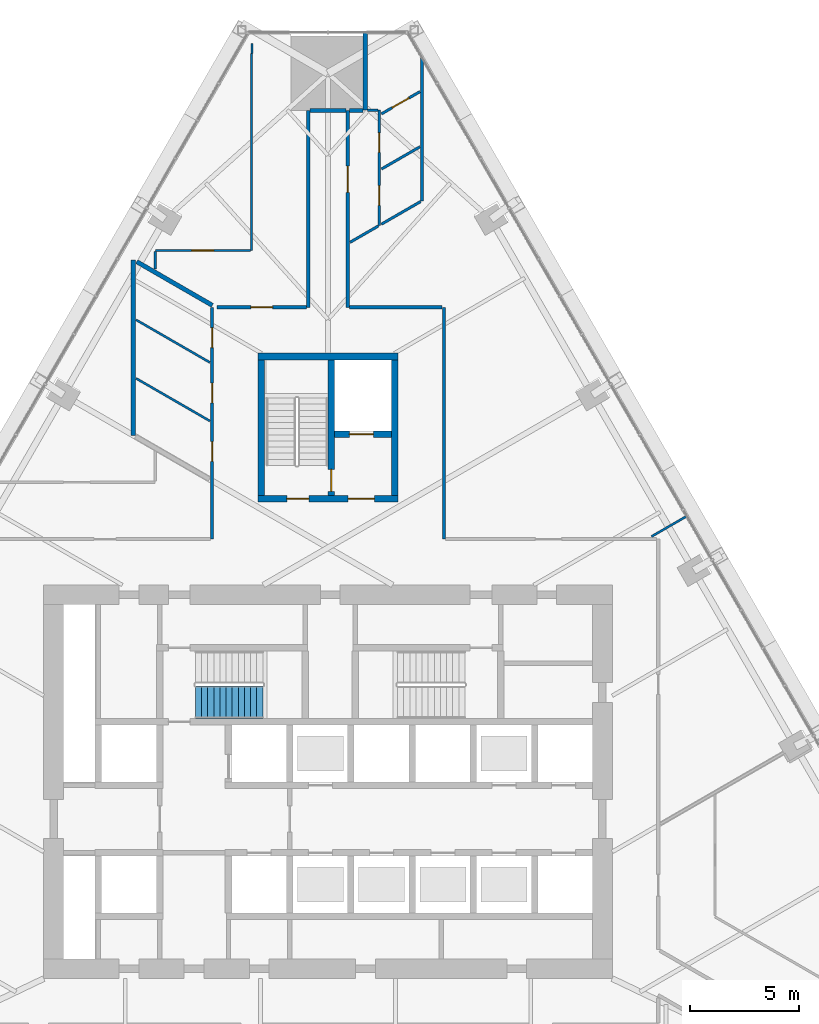
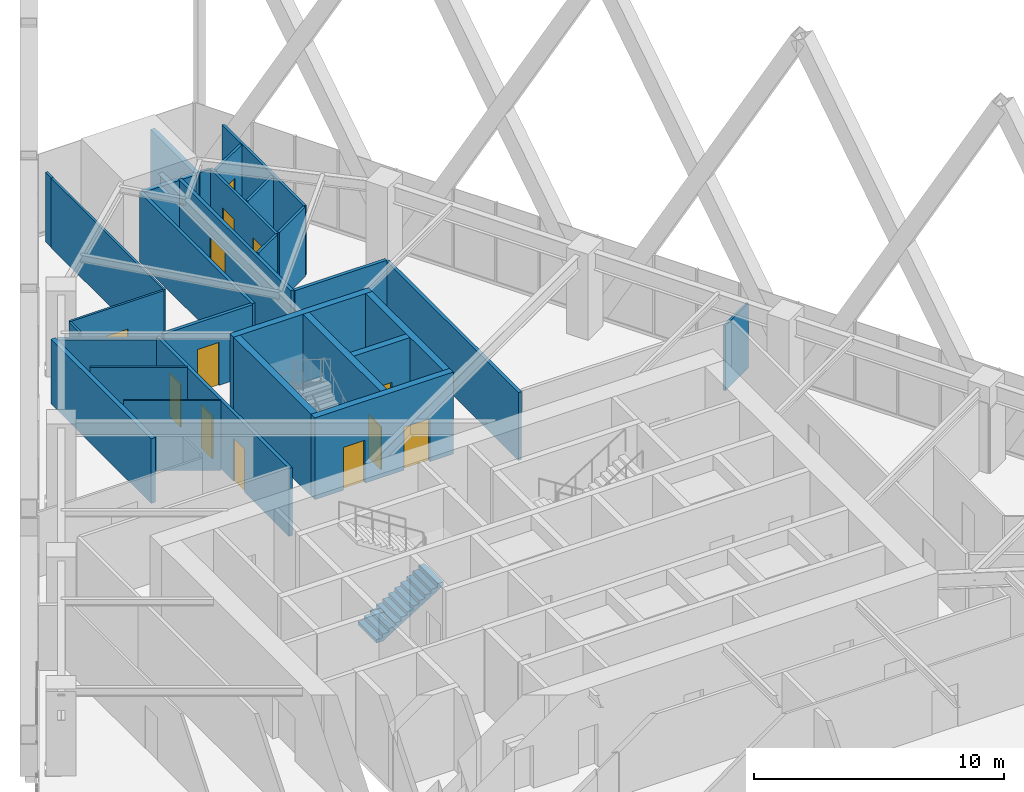
# One storey, part 16 of 19: 31 walls, 13 doors, 1 stair flight, 13 openings, 1 element without a shape of its own.
"""IFC4 building model written with IfcOpenShell, lengths in metres."""

from ifc_helpers import new_model, si_unit, direction, frame, frame_2d, origin, place, context, subcontext, project, spatial, polyline, rectangle, outline, extrude, material, layer, layer_set, type_object, element, fill, aggregate, save


model = new_model("IFC4")

# Units and contexts
model_context = context("Model", 3, precision=1e-05, world=origin(), true_north=direction((0.0, 1.0)))
body_context = subcontext(model_context, "Body", "Model", "MODEL_VIEW")
ifc_project = project(units=[si_unit("LENGTHUNIT", "METRE"), si_unit("AREAUNIT", "SQUARE_METRE"), si_unit("VOLUMEUNIT", "CUBIC_METRE"), si_unit("PLANEANGLEUNIT", "RADIAN"), si_unit("MASSUNIT", "GRAM", prefix="KILO")], contexts=[model_context])

# Site, building, storey
site_placement = place(None, origin())
site = spatial("IfcSite", under=ifc_project, at=site_placement, CompositionType="ELEMENT")
building_placement = place(site_placement, origin())
building = spatial("IfcBuilding", under=site, at=building_placement, Name="Firuza Gate Tower and Library", CompositionType="ELEMENT")
storey_placement = place(building_placement, frame((0.0, 0.0, 124.0)))
storey = spatial("IfcBuildingStorey", under=building, at=storey_placement, Name="L28", CompositionType="ELEMENT", Elevation=124.0)

# Wall, openings, doors
ifc_material_1 = material(Name="Concrete C80/95", Category="concrete")
ifc_layer_1 = layer(ifc_material_1, 0.300048828125)
ifc_layer_set_1 = layer_set([ifc_layer_1], Name="Core wall 300 C80/95")
wall_type_1 = type_object("IfcWallType", Name="Core wall 300 C80/95", PredefinedType="SHEAR", material=ifc_layer_set_1)
wall_1_placement = place(storey_placement, frame((71.800048828125, 87.949951171875, 0.0), z_axis=(0.0, 0.0, 1.0), x_axis=(1.0, 0.0, 0.0)))
wall_1 = element("IfcWall", 1, at=wall_1_placement, inside=storey, type_object=wall_type_1, Name="Core wall L28 34", PredefinedType="SHEAR", context=body_context, shape_type="SweptSolid", body=[
    extrude(rectangle(XDim=6.39990234375, YDim=0.300048828125, at=frame_2d((3.199951171875, 0.0))), origin(), (0.0, 0.0, 1.0), 4.0),
])
opening_1_placement = place(wall_1_placement, frame((1.324951171875, 0.0, 0.0)))
opening_1 = element("IfcOpeningElement", 2, at=opening_1_placement, cuts=wall_1, Name="Opening L28-K17", PredefinedType="OPENING", context=body_context, shape_type="SweptSolid", body=[
    extrude(rectangle(XDim=1.0, YDim=2.10009765625, at=frame_2d((0.5, 1.050048828125))), frame((0.0, 0.16015625, 0.0), z_axis=(0.0, -1.0, 0.0), x_axis=(1.0, 0.0, 0.0)), (0.0, 0.0, 1.0), 0.320068359375),
])
opening_2_placement = place(wall_1_placement, frame((4.125, 0.0, 0.0)))
opening_2 = element("IfcOpeningElement", 3, at=opening_2_placement, cuts=wall_1, Name="Opening L28-K19", PredefinedType="OPENING", context=body_context, shape_type="SweptSolid", body=[
    extrude(rectangle(XDim=1.199951171875, YDim=2.10009765625, at=frame_2d((0.60009765625, 1.050048828125))), frame((0.0, 0.16015625, 0.0), z_axis=(0.0, -1.0, 0.0), x_axis=(1.0, 0.0, 0.0)), (0.0, 0.0, 1.0), 0.320068359375),
])
ifc_material_2 = material(Name="Steel", Category="steel")
door_type_1 = type_object("IfcDoorType", Name="Fire door 1000x2100 FD90", OperationType="NOTDEFINED", PredefinedType="DOOR", material=ifc_material_2)
door_1_placement = place(opening_1_placement, origin())
door_1 = element("IfcDoor", 4, at=door_1_placement, inside=storey, type_object=door_type_1, Name="Door L28-K17", OperationType="SINGLE_SWING_RIGHT", OverallHeight=2.10009765625, OverallWidth=1.0, PredefinedType="DOOR", context=body_context, shape_type="SweptSolid", body=[
    extrude(rectangle(XDim=1.0, YDim=2.10009765625, at=frame_2d((0.5, 1.050048828125))), frame((0.0, 0.02490234375, 0.0), z_axis=(0.0, -1.0, 0.0), x_axis=(1.0, 0.0, 0.0)), (0.0, 0.0, 1.0), 0.050048828125),
])
fill(opening_1, door_1)
ifc_material_3 = material(Name="Steel", Category="steel")
door_type_2 = type_object("IfcDoorType", Name="Fire door 1200x2100 FD30S", OperationType="NOTDEFINED", PredefinedType="DOOR", material=ifc_material_3)
door_2_placement = place(opening_2_placement, origin())
door_2 = element("IfcDoor", 5, at=door_2_placement, inside=storey, type_object=door_type_2, Name="Door L28-K19", OperationType="SINGLE_SWING_RIGHT", OverallHeight=2.10009765625, OverallWidth=1.199951171875, PredefinedType="DOOR", context=body_context, shape_type="SweptSolid", body=[
    extrude(rectangle(XDim=1.199951171875, YDim=2.10009765625, at=frame_2d((0.60009765625, 1.050048828125))), frame((0.0, 0.02490234375, 0.0), z_axis=(0.0, -1.0, 0.0), x_axis=(1.0, 0.0, 0.0)), (0.0, 0.0, 1.0), 0.050048828125),
])
fill(opening_2, door_2)

# Walls
wall_2_placement = place(storey_placement, frame((71.800048828125, 94.449951171875, 0.0), z_axis=(0.0, 0.0, 1.0), x_axis=(1.0, 0.0, 0.0)))
element("IfcWall", 6, at=wall_2_placement, inside=storey, type_object=wall_type_1, Name="Core wall L28 35", PredefinedType="SHEAR", context=body_context, shape_type="SweptSolid", body=[
    extrude(rectangle(XDim=6.39990234375, YDim=0.300048828125, at=frame_2d((3.199951171875, 0.0))), origin(), (0.0, 0.0, 1.0), 4.0),
])
for number, where, z_axis, x_axis, name in (
    (7, (71.949951171875, 88.10009765625, 0.0), (0.0, 0.0, 1.0), (0.0, 1.0, 0.0), "Core wall L28 36"),
    (8, (78.050048828125, 88.10009765625, 0.0), (0.0, 0.0, 1.0), (0.0, 1.0, 0.0), "Core wall L28 37"),
):
    element("IfcWall", number, at=place(storey_placement, frame(where, z_axis=z_axis, x_axis=x_axis)), inside=storey, type_object=wall_type_1, Name=name, PredefinedType="SHEAR", context=body_context, shape_type="SweptSolid", body=[
        extrude(rectangle(XDim=6.199951171875, YDim=0.300048828125, at=frame_2d((3.10009765625, 0.0))), origin(), (0.0, 0.0, 1.0), 4.0),
    ])

# Wall, opening, door
wall_3_placement = place(storey_placement, frame((75.300048828125, 90.89990234375, 0.0), z_axis=(0.0, 0.0, 1.0), x_axis=(1.0, 0.0, 0.0)))
wall_3 = element("IfcWall", 9, at=wall_3_placement, inside=storey, type_object=wall_type_1, Name="Core wall L28 38", PredefinedType="SHEAR", context=body_context, shape_type="SweptSolid", body=[
    extrude(rectangle(XDim=2.599853515625, YDim=0.300048828125, at=frame_2d((1.2998046875, 0.0))), origin(), (0.0, 0.0, 1.0), 4.0),
])
opening_3_placement = place(wall_3_placement, frame((0.675048828125, 0.0, 0.0)))
opening_3 = element("IfcOpeningElement", 10, at=opening_3_placement, cuts=wall_3, Name="Opening LD-SV1-L28", PredefinedType="OPENING", context=body_context, shape_type="SweptSolid", body=[
    extrude(rectangle(XDim=1.10009765625, YDim=2.10009765625, at=frame_2d((0.550048828125, 1.050048828125))), frame((0.0, 0.16015625, 0.0), z_axis=(0.0, -1.0, 0.0), x_axis=(1.0, 0.0, 0.0)), (0.0, 0.0, 1.0), 0.320068359375),
])
ifc_material_4 = material(Name="Stainless steel", Category="steel")
door_type_3 = type_object("IfcDoorType", Name="Lift landing door 1100x2100", OperationType="DOUBLE_DOOR_SLIDING", PredefinedType="DOOR", material=ifc_material_4)
door_3_placement = place(opening_3_placement, origin())
door_3 = element("IfcDoor", 11, at=door_3_placement, inside=storey, type_object=door_type_3, Name="Landing door SV1 L28", OperationType="DOUBLE_DOOR_SLIDING", OverallHeight=2.10009765625, OverallWidth=1.10009765625, PredefinedType="DOOR", context=body_context, shape_type="SweptSolid", body=[
    extrude(rectangle(XDim=1.10009765625, YDim=2.10009765625, at=frame_2d((0.550048828125, 1.050048828125))), frame((0.0, 0.02490234375, 0.0), z_axis=(0.0, -1.0, 0.0), x_axis=(1.0, 0.0, 0.0)), (0.0, 0.0, 1.0), 0.050048828125),
])
fill(opening_3, door_3)

wall_4_placement = place(storey_placement, frame((75.14990234375, 88.10009765625, 0.0), z_axis=(0.0, 0.0, 1.0), x_axis=(0.0, 1.0, 0.0)))
wall_4 = element("IfcWall", 12, at=wall_4_placement, inside=storey, type_object=wall_type_1, Name="Core wall L28 39", PredefinedType="SHEAR", context=body_context, shape_type="SweptSolid", body=[
    extrude(rectangle(XDim=6.199951171875, YDim=0.300048828125, at=frame_2d((3.10009765625, 0.0))), origin(), (0.0, 0.0, 1.0), 4.0),
])
opening_4_placement = place(wall_4_placement, frame((0.18505859375, 0.0, 0.0)))
opening_4 = element("IfcOpeningElement", 13, at=opening_4_placement, cuts=wall_4, Name="Opening L28-K18", PredefinedType="OPENING", context=body_context, shape_type="SweptSolid", body=[
    extrude(rectangle(XDim=1.0, YDim=2.10009765625, at=frame_2d((0.5, 1.050048828125))), frame((0.0, 0.16015625, 0.0), z_axis=(0.0, -1.0, 0.0), x_axis=(1.0, 0.0, 0.0)), (0.0, 0.0, 1.0), 0.320068359375),
])
door_4_placement = place(opening_4_placement, origin())
door_4 = element("IfcDoor", 14, at=door_4_placement, inside=storey, type_object=door_type_1, Name="Door L28-K18", OperationType="SINGLE_SWING_LEFT", OverallHeight=2.10009765625, OverallWidth=1.0, PredefinedType="DOOR", context=body_context, shape_type="SweptSolid", body=[
    extrude(rectangle(XDim=1.0, YDim=2.10009765625, at=frame_2d((0.5, 1.050048828125))), frame((0.0, 0.02490234375, 0.0), z_axis=(0.0, -1.0, 0.0), x_axis=(1.0, 0.0, 0.0)), (0.0, 0.0, 1.0), 0.050048828125),
])
fill(opening_4, door_4)

ifc_material_5 = material(Name="Gypsum board partition")
ifc_layer_2 = layer(ifc_material_5, 0.14990234375)
ifc_layer_set_2 = layer_set([ifc_layer_2], Name="Corridor wall 150 double board on steel studs")
wall_type_2 = type_object("IfcWallType", Name="Corridor wall 150 double board on steel studs", PredefinedType="PARTITIONING", material=ifc_layer_set_2)
wall_5_placement = place(storey_placement, frame((69.9150390625, 96.699951171875, 0.0), z_axis=(0.0, 0.0, 1.0), x_axis=(1.0, 0.0, 0.0)))
wall_5 = element("IfcWall", 15, at=wall_5_placement, inside=storey, type_object=wall_type_2, Name="f:L28:w005", PredefinedType="PARTITIONING", context=body_context, shape_type="SweptSolid", body=[
    extrude(rectangle(XDim=4.10986328125, YDim=0.14990234375, at=frame_2d((2.054931640625, 0.0))), origin(), (0.0, 0.0, 1.0), 3.39990234375),
])
opening_5_placement = place(wall_5_placement, frame((1.554931640625, 0.0, 0.0)))
opening_5 = element("IfcOpeningElement", 16, at=opening_5_placement, cuts=wall_5, Name="Opening L28-09", PredefinedType="OPENING", context=body_context, shape_type="SweptSolid", body=[
    extrude(rectangle(XDim=1.0, YDim=2.10009765625, at=frame_2d((0.5, 1.050048828125))), frame((0.0, 0.0849609375, 0.0), z_axis=(0.0, -1.0, 0.0), x_axis=(1.0, 0.0, 0.0)), (0.0, 0.0, 1.0), 0.169921875),
])
ifc_material_6 = material(Name="Steel door and timber leaf", Category="steel")
door_type_4 = type_object("IfcDoorType", Name="Fire door 1000 x 2100 steel frame, timber leaf", OperationType="NOTDEFINED", PredefinedType="DOOR", material=ifc_material_6)
door_5_placement = place(opening_5_placement, origin())
door_5 = element("IfcDoor", 17, at=door_5_placement, inside=storey, type_object=door_type_4, Name="f:L28:d009", OperationType="SINGLE_SWING_LEFT", OverallHeight=2.10009765625, OverallWidth=1.0, PredefinedType="DOOR", context=body_context, shape_type="SweptSolid", body=[
    extrude(rectangle(XDim=1.0, YDim=2.10009765625, at=frame_2d((0.5, 1.050048828125))), frame((0.0, 0.02490234375, 0.0), z_axis=(0.0, -1.0, 0.0), x_axis=(1.0, 0.0, 0.0)), (0.0, 0.0, 1.0), 0.050048828125),
])
fill(opening_5, door_5)

# Walls
wall_6_placement = place(storey_placement, frame((75.97509765625, 96.699951171875, 0.0), z_axis=(0.0, 0.0, 1.0), x_axis=(1.0, 0.0, 0.0)))
element("IfcWall", 18, at=wall_6_placement, inside=storey, type_object=wall_type_2, Name="f:L28:w006", PredefinedType="PARTITIONING", context=body_context, shape_type="SweptSolid", body=[
    extrude(rectangle(XDim=4.249267578125, YDim=0.14990234375, at=frame_2d((2.12451171875, 0.0))), origin(), (0.0, 0.0, 1.0), 3.39990234375),
])
wall_7_placement = place(storey_placement, frame((80.300048828125, 86.10009765625, 0.0), z_axis=(0.0, 0.0, 1.0), x_axis=(0.0, 1.0, 0.0)))
element("IfcWall", 19, at=wall_7_placement, inside=storey, type_object=wall_type_2, Name="f:L28:w030", PredefinedType="PARTITIONING", context=body_context, shape_type="SweptSolid", body=[
    extrude(rectangle(XDim=10.599365234375, YDim=0.14990234375, at=frame_2d((5.2998046875, 0.0))), origin(), (0.0, 0.0, 1.0), 3.322021484375),
])

# Wall, opening, door
wall_8_placement = place(storey_placement, frame((75.89990234375, 105.698486328125, 0.0), z_axis=(0.0, 0.0, 1.0), x_axis=(0.0, -1.0, 0.0)))
wall_8 = element("IfcWall", 20, at=wall_8_placement, inside=storey, type_object=wall_type_2, Name="f:L28:w035", PredefinedType="PARTITIONING", context=body_context, shape_type="SweptSolid", body=[
    extrude(rectangle(XDim=8.99853515625, YDim=0.14990234375, at=frame_2d((4.499267578125, 0.0))), origin(), (0.0, 0.0, 1.0), 3.39990234375),
])
opening_6_placement = place(wall_8_placement, frame((2.5458984375, 0.0, 0.0)))
opening_6 = element("IfcOpeningElement", 21, at=opening_6_placement, cuts=wall_8, Name="Opening L28-22", PredefinedType="OPENING", context=body_context, shape_type="SweptSolid", body=[
    extrude(rectangle(XDim=1.199951171875, YDim=2.10009765625, at=frame_2d((0.60009765625, 1.050048828125))), frame((0.0, 0.0849609375, 0.0), z_axis=(0.0, -1.0, 0.0), x_axis=(1.0, 0.0, 0.0)), (0.0, 0.0, 1.0), 0.169921875),
])
ifc_material_7 = material(Name="Steel door and timber leaf", Category="steel")
door_type_5 = type_object("IfcDoorType", Name="Fire door 1200 x 2100 steel frame, double leaf", OperationType="NOTDEFINED", PredefinedType="DOOR", material=ifc_material_7)
door_6_placement = place(opening_6_placement, origin())
door_6 = element("IfcDoor", 22, at=door_6_placement, inside=storey, type_object=door_type_5, Name="f:L28:d022", OperationType="DOUBLE_DOOR_SINGLE_SWING", OverallHeight=2.10009765625, OverallWidth=1.199951171875, PredefinedType="DOOR", context=body_context, shape_type="SweptSolid", body=[
    extrude(rectangle(XDim=1.199951171875, YDim=2.10009765625, at=frame_2d((0.60009765625, 1.050048828125))), frame((0.0, 0.02490234375, 0.0), z_axis=(0.0, -1.0, 0.0), x_axis=(1.0, 0.0, 0.0)), (0.0, 0.0, 1.0), 0.050048828125),
])
fill(opening_6, door_6)

# Wall
wall_9_placement = place(storey_placement, frame((74.10009765625, 96.699951171875, 0.0), z_axis=(0.0, 0.0, 1.0), x_axis=(0.0, 1.0, 0.0)))
element("IfcWall", 23, at=wall_9_placement, inside=storey, type_object=wall_type_2, Name="f:L28:w036", PredefinedType="PARTITIONING", context=body_context, shape_type="SweptSolid", body=[
    extrude(rectangle(XDim=8.998046875, YDim=0.14990234375, at=frame_2d((4.4990234375, 0.0))), origin(), (0.0, 0.0, 1.0), 3.39990234375),
])

# Wall, openings, doors
wall_10_placement = place(storey_placement, frame((69.699951171875, 86.10009765625, 0.0), z_axis=(0.0, 0.0, 1.0), x_axis=(0.0, 1.0, 0.0)))
wall_10 = element("IfcWall", 24, at=wall_10_placement, inside=storey, type_object=wall_type_2, Name="f:L28:w039", PredefinedType="PARTITIONING", context=body_context, shape_type="SweptSolid", body=[
    extrude(rectangle(XDim=10.599853515625, YDim=0.14990234375, at=frame_2d((5.2998046875, 0.0))), origin(), (0.0, 0.0, 1.0), 3.322021484375),
])
opening_7_placement = place(wall_10_placement, frame((3.55517578125, 0.0, 0.0)))
opening_7 = element("IfcOpeningElement", 25, at=opening_7_placement, cuts=wall_10, Name="Opening L28-23", PredefinedType="OPENING", context=body_context, shape_type="SweptSolid", body=[
    extrude(rectangle(XDim=0.89990234375, YDim=2.10009765625, at=frame_2d((0.449951171875, 1.050048828125))), frame((0.0, 0.0849609375, 0.0), z_axis=(0.0, -1.0, 0.0), x_axis=(1.0, 0.0, 0.0)), (0.0, 0.0, 1.0), 0.169921875),
])
opening_8_placement = place(wall_10_placement, frame((6.23193359375, 0.0, 0.0)))
opening_8 = element("IfcOpeningElement", 26, at=opening_8_placement, cuts=wall_10, Name="Opening L28-24", PredefinedType="OPENING", context=body_context, shape_type="SweptSolid", body=[
    extrude(rectangle(XDim=0.89990234375, YDim=2.10009765625, at=frame_2d((0.449951171875, 1.050048828125))), frame((0.0, 0.0849609375, 0.0), z_axis=(0.0, -1.0, 0.0), x_axis=(1.0, 0.0, 0.0)), (0.0, 0.0, 1.0), 0.169921875),
])
opening_9_placement = place(wall_10_placement, frame((8.758544921875, 0.0, 0.0)))
opening_9 = element("IfcOpeningElement", 27, at=opening_9_placement, cuts=wall_10, Name="Opening L28-25", PredefinedType="OPENING", context=body_context, shape_type="SweptSolid", body=[
    extrude(rectangle(XDim=0.89990234375, YDim=2.10009765625, at=frame_2d((0.449951171875, 1.050048828125))), frame((0.0, 0.0849609375, 0.0), z_axis=(0.0, -1.0, 0.0), x_axis=(1.0, 0.0, 0.0)), (0.0, 0.0, 1.0), 0.169921875),
])
ifc_material_8 = material(Name="Steel door and timber leaf", Category="steel")
door_type_6 = type_object("IfcDoorType", Name="Fire door 900 x 2100 steel frame, timber leaf", OperationType="NOTDEFINED", PredefinedType="DOOR", material=ifc_material_8)
door_7_placement = place(opening_7_placement, origin())
door_7 = element("IfcDoor", 28, at=door_7_placement, inside=storey, type_object=door_type_6, Name="f:L28:d023", OperationType="SINGLE_SWING_RIGHT", OverallHeight=2.10009765625, OverallWidth=0.89990234375, PredefinedType="DOOR", context=body_context, shape_type="SweptSolid", body=[
    extrude(rectangle(XDim=0.89990234375, YDim=2.10009765625, at=frame_2d((0.449951171875, 1.050048828125))), frame((0.0, 0.02490234375, 0.0), z_axis=(0.0, -1.0, 0.0), x_axis=(1.0, 0.0, 0.0)), (0.0, 0.0, 1.0), 0.050048828125),
])
fill(opening_7, door_7)
door_8_placement = place(opening_8_placement, origin())
door_8 = element("IfcDoor", 29, at=door_8_placement, inside=storey, type_object=door_type_6, Name="f:L28:d024", OperationType="SINGLE_SWING_LEFT", OverallHeight=2.10009765625, OverallWidth=0.89990234375, PredefinedType="DOOR", context=body_context, shape_type="SweptSolid", body=[
    extrude(rectangle(XDim=0.89990234375, YDim=2.10009765625, at=frame_2d((0.449951171875, 1.050048828125))), frame((0.0, 0.02490234375, 0.0), z_axis=(0.0, -1.0, 0.0), x_axis=(1.0, 0.0, 0.0)), (0.0, 0.0, 1.0), 0.050048828125),
])
fill(opening_8, door_8)
door_9_placement = place(opening_9_placement, origin())
door_9 = element("IfcDoor", 30, at=door_9_placement, inside=storey, type_object=door_type_6, Name="f:L28:d025", OperationType="SINGLE_SWING_RIGHT", OverallHeight=2.10009765625, OverallWidth=0.89990234375, PredefinedType="DOOR", context=body_context, shape_type="SweptSolid", body=[
    extrude(rectangle(XDim=0.89990234375, YDim=2.10009765625, at=frame_2d((0.449951171875, 1.050048828125))), frame((0.0, 0.02490234375, 0.0), z_axis=(0.0, -1.0, 0.0), x_axis=(1.0, 0.0, 0.0)), (0.0, 0.0, 1.0), 0.050048828125),
])
fill(opening_9, door_9)

# Walls
ifc_material_9 = material(Name="Gypsum board partition")
ifc_layer_3 = layer(ifc_material_9, 0.199951171875)
ifc_layer_set_3 = layer_set([ifc_layer_3], Name="Demising wall 200 acoustic double stud")
wall_type_3 = type_object("IfcWallType", Name="Demising wall 200 acoustic double stud", PredefinedType="PARTITIONING", material=ifc_layer_set_3)
wall_11_placement = place(storey_placement, frame((74.175537109375, 105.698974609375, 0.0), z_axis=(0.0, 0.0, 1.0), x_axis=(1.0, 0.0, 0.0)))
element("IfcWall", 31, at=wall_11_placement, inside=storey, type_object=wall_type_3, Name="f:L28:w008", PredefinedType="PARTITIONING", context=body_context, shape_type="SweptSolid", body=[
    extrude(rectangle(XDim=1.6494140625, YDim=0.199951171875, at=frame_2d((0.82470703125, 0.0))), origin(), (0.0, 0.0, 1.0), 3.39697265625),
])
wall_12_placement = place(storey_placement, frame((76.699951171875, 105.715087890625, 0.0), z_axis=(0.0, 0.0, 1.0), x_axis=(0.0, 1.0, 0.0)))
element("IfcWall", 32, at=wall_12_placement, inside=storey, type_object=wall_type_3, Name="f:L28:w034", PredefinedType="PARTITIONING", context=body_context, shape_type="SweptSolid", body=[
    extrude(rectangle(XDim=3.54345703125, YDim=0.199951171875, at=frame_2d((1.771728515625, 0.0))), origin(), (0.0, 0.0, 1.0), 3.39990234375),
])
wall_13_placement = place(storey_placement, frame((66.10009765625, 90.845947265625, 0.0), z_axis=(0.0, 0.0, 1.0), x_axis=(0.0, 1.0, 0.0)))
element("IfcWall", 33, at=wall_13_placement, inside=storey, type_object=wall_type_3, Name="f:L28:w042", PredefinedType="PARTITIONING", context=body_context, shape_type="SweptSolid", body=[
    extrude(rectangle(XDim=8.02880859375, YDim=0.199951171875, at=frame_2d((4.014404296875, 0.0))), origin(), (0.0, 0.0, 1.0), 3.1650390625),
])
wall_14_placement = place(storey_placement, frame((69.71142578125, 96.78955078125, 0.0), z_axis=(0.0, 0.0, 1.0), x_axis=(-0.866021621257, 0.500006551472, 0.0)))
element("IfcWall", 34, at=wall_14_placement, inside=storey, type_object=wall_type_3, Name="f:L28:w050", PredefinedType="PARTITIONING", context=body_context, shape_type="SweptSolid", body=[
    extrude(rectangle(XDim=3.9921875, YDim=0.199951171875, at=frame_2d((1.99609375, 0.0))), origin(), (0.0, 0.0, 1.0), 3.1650390625),
])
wall_15_placement = place(storey_placement, frame((75.97509765625, 105.698974609375, 0.0), z_axis=(0.0, 0.0, 1.0), x_axis=(1.0, 0.0, 0.0)))
element("IfcWall", 35, at=wall_15_placement, inside=storey, type_object=wall_type_3, Name="f:L28:w065", PredefinedType="PARTITIONING", context=body_context, shape_type="SweptSolid", body=[
    extrude(rectangle(XDim=0.62451171875, YDim=0.199951171875, at=frame_2d((0.312255859375, 0.0))), origin(), (0.0, 0.0, 1.0), 3.39990234375),
])

# Wall, opening, door
ifc_material_10 = material(Name="Gypsum board partition")
ifc_layer_4 = layer(ifc_material_10, 0.10009765625)
ifc_layer_set_4 = layer_set([ifc_layer_4], Name="Partition 100 gypsum board on steel studs")
wall_type_4 = type_object("IfcWallType", Name="Partition 100 gypsum board on steel studs", PredefinedType="PARTITIONING", material=ifc_layer_set_4)
wall_16_placement = place(storey_placement, frame((67.10009765625, 99.300048828125, 0.0), z_axis=(0.0, 0.0, 1.0), x_axis=(1.0, 0.0, 0.0)))
wall_16 = element("IfcWall", 36, at=wall_16_placement, inside=storey, type_object=wall_type_4, Name="f:L28:w007", PredefinedType="PARTITIONING", context=body_context, shape_type="SweptSolid", body=[
    extrude(rectangle(XDim=4.349365234375, YDim=0.10009765625, at=frame_2d((2.1748046875, 0.0))), origin(), (0.0, 0.0, 1.0), 3.39990234375),
])
opening_10_placement = place(wall_16_placement, frame((1.6748046875, 0.0, 0.0)))
opening_10 = element("IfcOpeningElement", 37, at=opening_10_placement, cuts=wall_16, Name="Opening L28-10", PredefinedType="OPENING", context=body_context, shape_type="SweptSolid", body=[
    extrude(rectangle(XDim=1.0, YDim=2.10009765625, at=frame_2d((0.5, 1.050048828125))), frame((0.0, 0.06005859375, 0.0), z_axis=(0.0, -1.0, 0.0), x_axis=(1.0, 0.0, 0.0)), (0.0, 0.0, 1.0), 0.1201171875),
])
ifc_material_11 = material(Name="Timber door", Category="wood")
door_type_7 = type_object("IfcDoorType", Name="Door 1000 x 2100 timber leaf", OperationType="NOTDEFINED", PredefinedType="DOOR", material=ifc_material_11)
door_10_placement = place(opening_10_placement, origin())
door_10 = element("IfcDoor", 38, at=door_10_placement, inside=storey, type_object=door_type_7, Name="f:L28:d010", OperationType="SINGLE_SWING_RIGHT", OverallHeight=2.10009765625, OverallWidth=1.0, PredefinedType="DOOR", context=body_context, shape_type="SweptSolid", body=[
    extrude(rectangle(XDim=1.0, YDim=2.10009765625, at=frame_2d((0.5, 1.050048828125))), frame((0.0, 0.02490234375, 0.0), z_axis=(0.0, -1.0, 0.0), x_axis=(1.0, 0.0, 0.0)), (0.0, 0.0, 1.0), 0.050048828125),
])
fill(opening_10, door_10)

# Walls
wall_17_placement = place(storey_placement, frame((89.79736328125, 86.219970703125, 0.0), z_axis=(0.0, 0.0, 1.0), x_axis=(0.866036320872, 0.499981090573, 0.0)))
element("IfcWall", 39, at=wall_17_placement, inside=storey, type_object=wall_type_4, Name="f:L28:w017", PredefinedType="PARTITIONING", context=body_context, shape_type="SweptSolid", body=[
    extrude(rectangle(XDim=1.85205078125, YDim=0.10009765625, at=frame_2d((0.926025390625, 0.0))), origin(), (0.0, 0.0, 1.0), 3.1650390625),
])
wall_18_placement = place(storey_placement, frame((71.51904296875, 108.299072265625, 0.0), z_axis=(0.0, 0.0, 1.0), x_axis=(0.0, 1.0, 0.0)))
element("IfcWall", 40, at=wall_18_placement, inside=storey, type_object=wall_type_4, Name="f:L28:w037", PredefinedType="PARTITIONING", context=body_context, shape_type="SweptSolid", body=[
    extrude(rectangle(XDim=0.47265625, YDim=0.10009765625, at=frame_2d((0.236328125, 0.0))), origin(), (0.0, 0.0, 1.0), 3.39990234375),
])
wall_19_placement = place(storey_placement, frame((71.5, 99.300537109375, 0.0), z_axis=(0.0, 0.0, 1.0), x_axis=(0.0, 1.0, 0.0)))
element("IfcWall", 41, at=wall_19_placement, inside=storey, type_object=wall_type_4, Name="f:L28:w038", PredefinedType="PARTITIONING", context=body_context, shape_type="SweptSolid", body=[
    extrude(rectangle(XDim=8.998046875, YDim=0.10009765625, at=frame_2d((4.4990234375, 0.0))), origin(), (0.0, 0.0, 1.0), 3.39990234375),
])
wall_20_placement = place(storey_placement, frame((67.10009765625, 98.443359375, 0.0), z_axis=(0.0, 0.0, 1.0), x_axis=(0.0, 1.0, 0.0)))
element("IfcWall", 42, at=wall_20_placement, inside=storey, type_object=wall_type_4, Name="f:L28:w041", PredefinedType="PARTITIONING", context=body_context, shape_type="SweptSolid", body=[
    extrude(rectangle(XDim=0.806640625, YDim=0.10009765625, at=frame_2d((0.4033203125, 0.0))), origin(), (0.0, 0.0, 1.0), 3.39990234375),
])
wall_21_placement = place(storey_placement, frame((69.598876953125, 94.177978515625, 0.0), z_axis=(0.0, 0.0, 1.0), x_axis=(-0.866016482536, 0.500015451737, 0.0)))
element("IfcWall", 43, at=wall_21_placement, inside=storey, type_object=wall_type_4, Name="f:L28:w051", PredefinedType="PARTITIONING", context=body_context, shape_type="SweptSolid", body=[
    extrude(rectangle(XDim=3.89501953125, YDim=0.10009765625, at=frame_2d((1.947509765625, 0.0))), origin(), (0.0, 0.0, 1.0), 3.39990234375),
])
wall_22_placement = place(storey_placement, frame((69.598876953125, 91.50146484375, 0.0), z_axis=(0.0, 0.0, 1.0), x_axis=(-0.866043624834, 0.499968438888, 0.0)))
element("IfcWall", 44, at=wall_22_placement, inside=storey, type_object=wall_type_4, Name="f:L28:w052", PredefinedType="PARTITIONING", context=body_context, shape_type="SweptSolid", body=[
    extrude(rectangle(XDim=3.894775390625, YDim=0.10009765625, at=frame_2d((1.947265625, 0.0))), origin(), (0.0, 0.0, 1.0), 3.39990234375),
])
ifc_material_12 = material(Name="Gypsum board partition")
ifc_layer_5 = layer(ifc_material_12, 0.1201171875)
ifc_layer_set_5 = layer_set([ifc_layer_5], Name="Wet-area partition 120 moisture-resistant board")
wall_type_5 = type_object("IfcWallType", Name="Wet-area partition 120 moisture-resistant board", PredefinedType="PARTITIONING", material=ifc_layer_set_5)
wall_23_placement = place(storey_placement, frame((76.800048828125, 105.718017578125, 0.0), z_axis=(0.0, 0.0, 1.0), x_axis=(1.0, 0.0, 0.0)))
element("IfcWall", 45, at=wall_23_placement, inside=storey, type_object=wall_type_5, Name="f:L28:w009", PredefinedType="PARTITIONING", context=body_context, shape_type="SweptSolid", body=[
    extrude(rectangle(XDim=0.489501953125, YDim=0.1201171875, at=frame_2d((0.24462890625, 0.0))), origin(), (0.0, 0.0, 1.0), 3.39990234375),
])
wall_24_placement = place(storey_placement, frame((76.009521484375, 99.67333984375, 0.0), z_axis=(0.0, 0.0, 1.0), x_axis=(0.865943626461, 0.500141615736, 0.0)))
element("IfcWall", 46, at=wall_24_placement, inside=storey, type_object=wall_type_5, Name="f:L28:w019", PredefinedType="PARTITIONING", context=body_context, shape_type="SweptSolid", body=[
    extrude(rectangle(XDim=1.49560546875, YDim=0.1201171875, at=frame_2d((0.747802734375, 0.0))), origin(), (0.0, 0.0, 1.0), 3.39990234375),
])
wall_25_placement = place(storey_placement, frame((77.444580078125, 103.02392578125, 0.0), z_axis=(0.0, 0.0, 1.0), x_axis=(0.866039589866, 0.499975428181, 0.0)))
element("IfcWall", 47, at=wall_25_placement, inside=storey, type_object=wall_type_5, Name="f:L28:w020", PredefinedType="PARTITIONING", context=body_context, shape_type="SweptSolid", body=[
    extrude(rectangle(XDim=2.03271484375, YDim=0.1201171875, at=frame_2d((1.016357421875, 0.0))), origin(), (0.0, 0.0, 1.0), 3.39990234375),
])

# Wall, opening, door
wall_26_placement = place(storey_placement, frame((79.205322265625, 106.562255859375, 0.0), z_axis=(0.0, 0.0, 1.0), x_axis=(-0.866017611601, -0.500013496215, 0.0)))
wall_26 = element("IfcWall", 48, at=wall_26_placement, inside=storey, type_object=wall_type_5, Name="f:L28:w021", PredefinedType="PARTITIONING", context=body_context, shape_type="SweptSolid", body=[
    extrude(rectangle(XDim=2.033203125, YDim=0.1201171875, at=frame_2d((1.0166015625, 0.0))), origin(), (0.0, 0.0, 1.0), 3.39990234375),
])
opening_11_placement = place(wall_26_placement, frame((0.566650390625, 0.0, 0.0)))
opening_11 = element("IfcOpeningElement", 49, at=opening_11_placement, cuts=wall_26, Name="Opening L28-15", PredefinedType="OPENING", context=body_context, shape_type="SweptSolid", body=[
    extrude(rectangle(XDim=0.89990234375, YDim=2.10009765625, at=frame_2d((0.449951171875, 1.050048828125))), frame((0.0, 0.070068359375, 0.0), z_axis=(0.0, -1.0, 0.0), x_axis=(1.0, 0.0, 0.0)), (0.0, 0.0, 1.0), 0.14013671875),
])
ifc_material_13 = material(Name="Timber door", Category="wood")
door_type_8 = type_object("IfcDoorType", Name="Door 900 x 2100 timber leaf", OperationType="NOTDEFINED", PredefinedType="DOOR", material=ifc_material_13)
door_11_placement = place(opening_11_placement, origin())
door_11 = element("IfcDoor", 50, at=door_11_placement, inside=storey, type_object=door_type_8, Name="f:L28:d015", OperationType="SINGLE_SWING_RIGHT", OverallHeight=2.10009765625, OverallWidth=0.89990234375, PredefinedType="DOOR", context=body_context, shape_type="SweptSolid", body=[
    extrude(rectangle(XDim=0.89990234375, YDim=2.10009765625, at=frame_2d((0.449951171875, 1.050048828125))), frame((0.0, 0.02490234375, 0.0), z_axis=(0.0, -1.0, 0.0), x_axis=(1.0, 0.0, 0.0)), (0.0, 0.0, 1.0), 0.050048828125),
])
fill(opening_11, door_11)

# Wall
wall_27_placement = place(storey_placement, frame((79.300048828125, 101.57275390625, 0.0), z_axis=(0.0, 0.0, 1.0), x_axis=(0.0, 1.0, 0.0)))
element("IfcWall", 51, at=wall_27_placement, inside=storey, type_object=wall_type_5, Name="f:L28:w032", PredefinedType="PARTITIONING", context=body_context, shape_type="SweptSolid", body=[
    extrude(rectangle(XDim=6.533447265625, YDim=0.1201171875, at=frame_2d((3.2666015625, 0.0))), origin(), (0.0, 0.0, 1.0), 3.39990234375),
])

# Wall, openings, doors
wall_28_placement = place(storey_placement, frame((77.35009765625, 100.44677734375, 0.0), z_axis=(0.0, 0.0, 1.0), x_axis=(0.0, 1.0, 0.0)))
wall_28 = element("IfcWall", 52, at=wall_28_placement, inside=storey, type_object=wall_type_5, Name="f:L28:w033", PredefinedType="PARTITIONING", context=body_context, shape_type="SweptSolid", body=[
    extrude(rectangle(XDim=5.270751953125, YDim=0.1201171875, at=frame_2d((2.63525390625, 0.0))), origin(), (0.0, 0.0, 1.0), 3.39990234375),
])
opening_12_placement = place(wall_28_placement, frame((0.912841796875, 0.0, 0.0)))
opening_12 = element("IfcOpeningElement", 53, at=opening_12_placement, cuts=wall_28, Name="Opening L28-20", PredefinedType="OPENING", context=body_context, shape_type="SweptSolid", body=[
    extrude(rectangle(XDim=0.89990234375, YDim=2.10009765625, at=frame_2d((0.449951171875, 1.050048828125))), frame((0.0, 0.070068359375, 0.0), z_axis=(0.0, -1.0, 0.0), x_axis=(1.0, 0.0, 0.0)), (0.0, 0.0, 1.0), 0.14013671875),
])
opening_13_placement = place(wall_28_placement, frame((3.333251953125, 0.0, 0.0)))
opening_13 = element("IfcOpeningElement", 54, at=opening_13_placement, cuts=wall_28, Name="Opening L28-21", PredefinedType="OPENING", context=body_context, shape_type="SweptSolid", body=[
    extrude(rectangle(XDim=0.89990234375, YDim=2.10009765625, at=frame_2d((0.449951171875, 1.050048828125))), frame((0.0, 0.070068359375, 0.0), z_axis=(0.0, -1.0, 0.0), x_axis=(1.0, 0.0, 0.0)), (0.0, 0.0, 1.0), 0.14013671875),
])
door_12_placement = place(opening_12_placement, origin())
door_12 = element("IfcDoor", 55, at=door_12_placement, inside=storey, type_object=door_type_8, Name="f:L28:d020", OperationType="SINGLE_SWING_LEFT", OverallHeight=2.10009765625, OverallWidth=0.89990234375, PredefinedType="DOOR", context=body_context, shape_type="SweptSolid", body=[
    extrude(rectangle(XDim=0.89990234375, YDim=2.10009765625, at=frame_2d((0.449951171875, 1.050048828125))), frame((0.0, 0.02490234375, 0.0), z_axis=(0.0, -1.0, 0.0), x_axis=(1.0, 0.0, 0.0)), (0.0, 0.0, 1.0), 0.050048828125),
])
fill(opening_12, door_12)
door_13_placement = place(opening_13_placement, origin())
door_13 = element("IfcDoor", 56, at=door_13_placement, inside=storey, type_object=door_type_8, Name="f:L28:d021", OperationType="SINGLE_SWING_RIGHT", OverallHeight=2.10009765625, OverallWidth=0.89990234375, PredefinedType="DOOR", context=body_context, shape_type="SweptSolid", body=[
    extrude(rectangle(XDim=0.89990234375, YDim=2.10009765625, at=frame_2d((0.449951171875, 1.050048828125))), frame((0.0, 0.02490234375, 0.0), z_axis=(0.0, -1.0, 0.0), x_axis=(1.0, 0.0, 0.0)), (0.0, 0.0, 1.0), 0.050048828125),
])
fill(opening_13, door_13)

# Wall
wall_29_placement = place(storey_placement, frame((77.43994140625, 100.499267578125, 0.0), z_axis=(0.0, 0.0, 1.0), x_axis=(0.865986040326, 0.500068173313, 0.0)))
element("IfcWall", 57, at=wall_29_placement, inside=storey, type_object=wall_type_5, Name="f:L28:w069", PredefinedType="PARTITIONING", context=body_context, shape_type="SweptSolid", body=[
    extrude(rectangle(XDim=2.078369140625, YDim=0.1201171875, at=frame_2d((1.0390625, 0.0))), origin(), (0.0, 0.0, 1.0), 3.39990234375),
])

# Stair, stair flight
ifc_material_14 = material(Name="Concrete C35/45", Category="concrete")
stair_type = type_object("IfcStairType", Name="Exit stair ST5", PredefinedType="HALF_TURN_STAIR", material=ifc_material_14)
stair_placement = place(storey_placement, origin())
stair = element("IfcStair", 58, at=stair_placement, inside=storey, type_object=stair_type, Name="L28 Stair ST1", PredefinedType="HALF_TURN_STAIR")
ifc_material_15 = material(Name="Concrete C35/45", Category="concrete")
stair_flight_type = type_object("IfcStairFlightType", Name="Stair flight 12 risers 175 width 1490", PredefinedType="STRAIGHT", material=ifc_material_15)
stair_flight_placement = place(storey_placement, frame((68.93994140625, 78.64501953125, 0.0), z_axis=(0.0, 0.0, 1.0), x_axis=(1.0, 0.0, 0.0)))
stair_flight = element("IfcStairFlight", 59, at=stair_flight_placement, type_object=stair_flight_type, Name="ST1 flight 1", NumberOfRisers=12, NumberOfTreads=11, PredefinedType="STRAIGHT", RiserHeight=0.175, TreadLength=0.28, context=body_context, shape_type="SweptSolid", body=[
    extrude(outline(polyline([(0.0, 0.0), (0.0, 0.175048828125), (0.280029296875, 0.175048828125), (0.280029296875, 0.35009765625), (0.56005859375, 0.35009765625), (0.56005859375, 0.52490234375), (0.840087890625, 0.52490234375), (0.840087890625, 0.699951171875), (1.1201171875, 0.699951171875), (1.1201171875, 0.875), (1.39990234375, 0.875), (1.39990234375, 1.050048828125), (1.679931640625, 1.050048828125), (1.679931640625, 1.22509765625), (1.9599609375, 1.22509765625), (1.9599609375, 1.39990234375), (2.239990234375, 1.39990234375), (2.239990234375, 1.574951171875), (2.52001953125, 1.574951171875), (2.52001953125, 1.75), (2.800048828125, 1.75), (2.800048828125, 1.925048828125), (3.080078125, 1.925048828125), (3.080078125, 2.10009765625), (3.080078125, 1.748291015625), (0.28271484375, 0.0), (0.0, 0.0)])), frame((0.0, 0.7451171875, 0.0), z_axis=(0.0, -1.0, 0.0), x_axis=(1.0, 0.0, 0.0)), (0.0, 0.0, 1.0), 1.489990234375),
])
aggregate(stair, [stair_flight])

save(model, "model.ifc")
